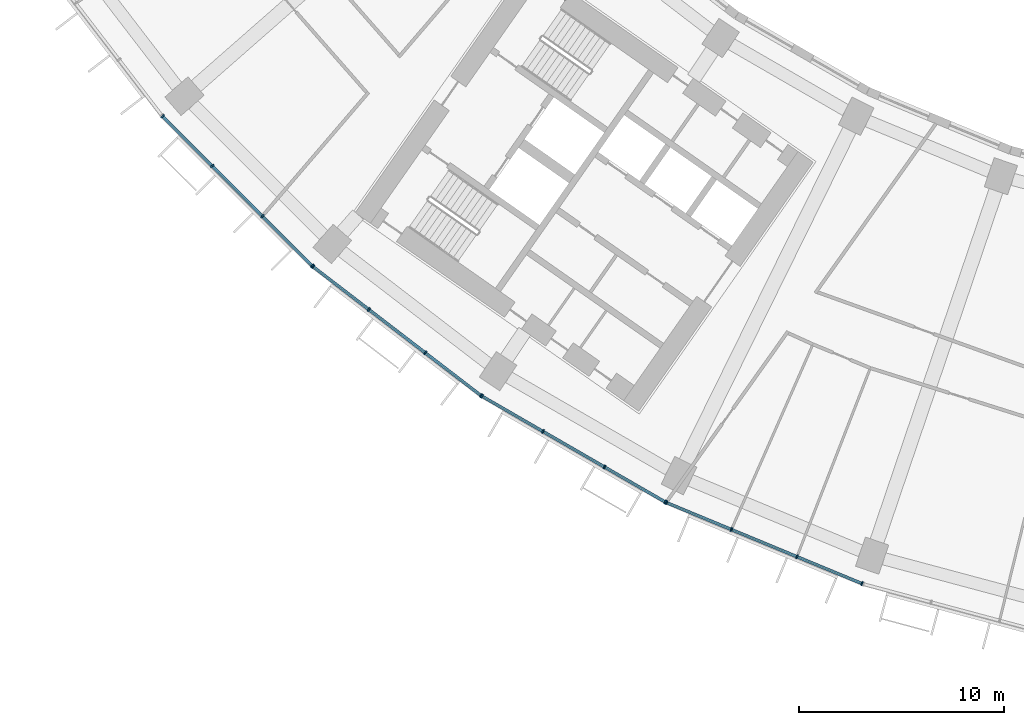
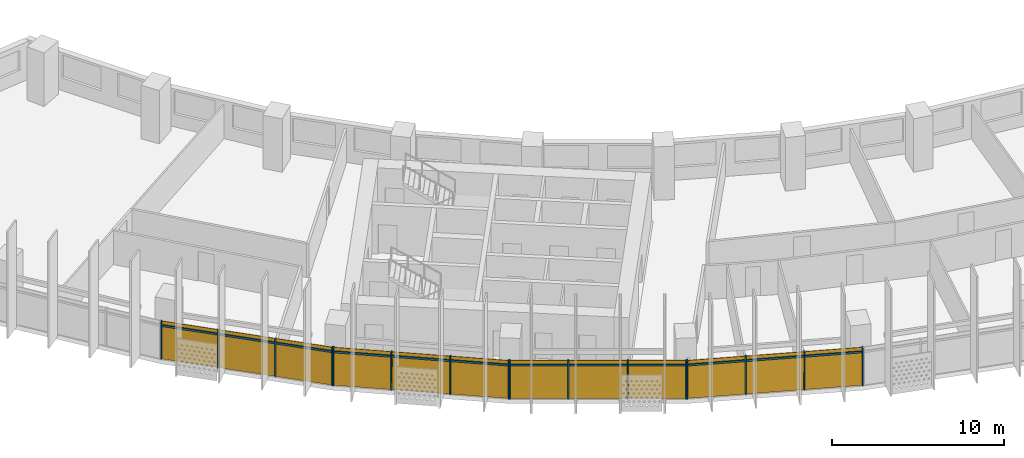
# One storey, part 18 of 30: 28 members, 4 curtain walls.
"""IFC4 building model written with IfcOpenShell, lengths in metres."""

from ifc_helpers import new_model, si_unit, direction, frame, origin, origin_2d, place, context, subcontext, project, spatial, rectangle, extrude, material, material_profile, profile_set, type_object, element, aggregate, save


model = new_model("IFC4")

# Units and contexts
model_context = context("Model", 3, precision=1e-05, world=origin(), true_north=direction((0.0, 1.0)))
body_context = subcontext(model_context, "Body", "Model", "MODEL_VIEW")
ifc_project = project(units=[si_unit("LENGTHUNIT", "METRE"), si_unit("AREAUNIT", "SQUARE_METRE"), si_unit("VOLUMEUNIT", "CUBIC_METRE"), si_unit("PLANEANGLEUNIT", "RADIAN"), si_unit("MASSUNIT", "GRAM", prefix="KILO")], contexts=[model_context])

# Member
ifc_material = material(Name="Aluminium 6063-T6 anodised", Category="aluminium")
ifc_material_profile_1 = material_profile(ifc_material, rectangle(XDim=0.199951171875, YDim=0.070068359375, at=origin_2d()))
ifc_profile_set_1 = profile_set([ifc_material_profile_1], Name="Aluminium 6063-T6 anodised")
member_type_1 = type_object("IfcMemberType", Name="Mullion 70 x 200 aluminium", PredefinedType="MULLION", material=ifc_profile_set_1)
site_placement = place(None, origin())
building_placement = place(site_placement, origin())
storey_placement = place(building_placement, frame((0.0, 0.0, 117.699951171875)))
member_1_placement = place(storey_placement, frame((-59.525390625, -52.240234375, 0.0), z_axis=(0.0, 0.0, 1.0), x_axis=(0.707106781187, 0.707106781187, 0.0)))
member_1 = element("IfcMember", 1, at=member_1_placement, type_object=member_type_1, Name="e-cw1-L26-out03/M00", PredefinedType="MULLION", context=body_context, shape_type="SweptSolid", body=[
    extrude(rectangle(XDim=0.199951171875, YDim=0.070068359375, at=origin_2d()), origin(), (0.0, 0.0, 1.0), 2.699951171875),
])

member_2_placement = place(storey_placement, frame((-57.105224609375, -54.660400390625, 0.0), z_axis=(0.0, 0.0, 1.0), x_axis=(0.707106781187, 0.707106781187, 0.0)))
member_2 = element("IfcMember", 2, at=member_2_placement, type_object=member_type_1, Name="e-cw1-L26-out03/M01", PredefinedType="MULLION", context=body_context, shape_type="SweptSolid", body=[
    extrude(rectangle(XDim=0.199951171875, YDim=0.070068359375, at=origin_2d()), origin(), (0.0, 0.0, 1.0), 2.699951171875),
])

member_3_placement = place(storey_placement, frame((-54.660400390625, -57.105224609375, 0.0), z_axis=(0.0, 0.0, 1.0), x_axis=(0.707106781187, 0.707106781187, 0.0)))
member_3 = element("IfcMember", 3, at=member_3_placement, type_object=member_type_1, Name="e-cw1-L26-out03/M02", PredefinedType="MULLION", context=body_context, shape_type="SweptSolid", body=[
    extrude(rectangle(XDim=0.199951171875, YDim=0.070068359375, at=origin_2d()), origin(), (0.0, 0.0, 1.0), 2.699951171875),
])

member_4_placement = place(storey_placement, frame((-52.240234375, -59.525390625, 0.0), z_axis=(0.0, 0.0, 1.0), x_axis=(0.707106781187, 0.707106781187, 0.0)))
member_4 = element("IfcMember", 4, at=member_4_placement, type_object=member_type_1, Name="e-cw1-L26-out03/M03", PredefinedType="MULLION", context=body_context, shape_type="SweptSolid", body=[
    extrude(rectangle(XDim=0.199951171875, YDim=0.070068359375, at=origin_2d()), origin(), (0.0, 0.0, 1.0), 2.699951171875),
])

member_5_placement = place(storey_placement, frame((-52.197509765625, -59.56298828125, 0.0), z_axis=(0.0, 0.0, 1.0), x_axis=(0.608761429009, 0.793353340291, 0.0)))
member_5 = element("IfcMember", 5, at=member_5_placement, type_object=member_type_1, Name="e-cw1-L26-out04/M00", PredefinedType="MULLION", context=body_context, shape_type="SweptSolid", body=[
    extrude(rectangle(XDim=0.199951171875, YDim=0.070068359375, at=origin_2d()), origin(), (0.0, 0.0, 1.0), 2.699951171875),
])

member_6_placement = place(storey_placement, frame((-49.482177734375, -61.646484375, 0.0), z_axis=(0.0, 0.0, 1.0), x_axis=(0.608761429009, 0.793353340291, 0.0)))
member_6 = element("IfcMember", 6, at=member_6_placement, type_object=member_type_1, Name="e-cw1-L26-out04/M01", PredefinedType="MULLION", context=body_context, shape_type="SweptSolid", body=[
    extrude(rectangle(XDim=0.199951171875, YDim=0.070068359375, at=origin_2d()), origin(), (0.0, 0.0, 1.0), 2.699951171875),
])

member_7_placement = place(storey_placement, frame((-46.739013671875, -63.751220703125, 0.0), z_axis=(0.0, 0.0, 1.0), x_axis=(0.608761429009, 0.793353340291, 0.0)))
member_7 = element("IfcMember", 7, at=member_7_placement, type_object=member_type_1, Name="e-cw1-L26-out04/M02", PredefinedType="MULLION", context=body_context, shape_type="SweptSolid", body=[
    extrude(rectangle(XDim=0.199951171875, YDim=0.070068359375, at=origin_2d()), origin(), (0.0, 0.0, 1.0), 2.699951171875),
])

member_8_placement = place(storey_placement, frame((-44.023681640625, -65.8349609375, 0.0), z_axis=(0.0, 0.0, 1.0), x_axis=(0.608761429009, 0.793353340291, 0.0)))
member_8 = element("IfcMember", 8, at=member_8_placement, type_object=member_type_1, Name="e-cw1-L26-out04/M03", PredefinedType="MULLION", context=body_context, shape_type="SweptSolid", body=[
    extrude(rectangle(XDim=0.199951171875, YDim=0.070068359375, at=origin_2d()), origin(), (0.0, 0.0, 1.0), 2.699951171875),
])

member_9_placement = place(storey_placement, frame((-43.976318359375, -65.866455078125, 0.0), z_axis=(0.0, 0.0, 1.0), x_axis=(0.5, 0.866025403784, 0.0)))
member_9 = element("IfcMember", 9, at=member_9_placement, type_object=member_type_1, Name="e-cw1-L26-out05/M00", PredefinedType="MULLION", context=body_context, shape_type="SweptSolid", body=[
    extrude(rectangle(XDim=0.199951171875, YDim=0.070068359375, at=origin_2d()), origin(), (0.0, 0.0, 1.0), 2.699951171875),
])

member_10_placement = place(storey_placement, frame((-41.01220703125, -67.577880859375, 0.0), z_axis=(0.0, 0.0, 1.0), x_axis=(0.5, 0.866025403784, 0.0)))
member_10 = element("IfcMember", 10, at=member_10_placement, type_object=member_type_1, Name="e-cw1-L26-out05/M01", PredefinedType="MULLION", context=body_context, shape_type="SweptSolid", body=[
    extrude(rectangle(XDim=0.199951171875, YDim=0.070068359375, at=origin_2d()), origin(), (0.0, 0.0, 1.0), 2.699951171875),
])

member_11_placement = place(storey_placement, frame((-38.017822265625, -69.306640625, 0.0), z_axis=(0.0, 0.0, 1.0), x_axis=(0.5, 0.866025403784, 0.0)))
member_11 = element("IfcMember", 11, at=member_11_placement, type_object=member_type_1, Name="e-cw1-L26-out05/M02", PredefinedType="MULLION", context=body_context, shape_type="SweptSolid", body=[
    extrude(rectangle(XDim=0.199951171875, YDim=0.070068359375, at=origin_2d()), origin(), (0.0, 0.0, 1.0), 2.699951171875),
])

member_12_placement = place(storey_placement, frame((-35.0537109375, -71.017822265625, 0.0), z_axis=(0.0, 0.0, 1.0), x_axis=(0.5, 0.866025403784, 0.0)))
member_12 = element("IfcMember", 12, at=member_12_placement, type_object=member_type_1, Name="e-cw1-L26-out05/M03", PredefinedType="MULLION", context=body_context, shape_type="SweptSolid", body=[
    extrude(rectangle(XDim=0.199951171875, YDim=0.070068359375, at=origin_2d()), origin(), (0.0, 0.0, 1.0), 2.699951171875),
])

member_13_placement = place(storey_placement, frame((-35.0029296875, -71.04296875, 0.0), z_axis=(0.0, 0.0, 1.0), x_axis=(0.382683432365, 0.923879532511, 0.0)))
member_13 = element("IfcMember", 13, at=member_13_placement, type_object=member_type_1, Name="e-cw1-L26-out06/M00", PredefinedType="MULLION", context=body_context, shape_type="SweptSolid", body=[
    extrude(rectangle(XDim=0.199951171875, YDim=0.070068359375, at=origin_2d()), origin(), (0.0, 0.0, 1.0), 2.699951171875),
])

member_14_placement = place(storey_placement, frame((-31.8408203125, -72.352783203125, 0.0), z_axis=(0.0, 0.0, 1.0), x_axis=(0.382683432365, 0.923879532511, 0.0)))
member_14 = element("IfcMember", 14, at=member_14_placement, type_object=member_type_1, Name="e-cw1-L26-out06/M01", PredefinedType="MULLION", context=body_context, shape_type="SweptSolid", body=[
    extrude(rectangle(XDim=0.199951171875, YDim=0.070068359375, at=origin_2d()), origin(), (0.0, 0.0, 1.0), 2.699951171875),
])

member_15_placement = place(storey_placement, frame((-28.646240234375, -73.676025390625, 0.0), z_axis=(0.0, 0.0, 1.0), x_axis=(0.382683432365, 0.923879532511, 0.0)))
member_15 = element("IfcMember", 15, at=member_15_placement, type_object=member_type_1, Name="e-cw1-L26-out06/M02", PredefinedType="MULLION", context=body_context, shape_type="SweptSolid", body=[
    extrude(rectangle(XDim=0.199951171875, YDim=0.070068359375, at=origin_2d()), origin(), (0.0, 0.0, 1.0), 2.699951171875),
])

member_16_placement = place(storey_placement, frame((-25.484130859375, -74.98583984375, 0.0), z_axis=(0.0, 0.0, 1.0), x_axis=(0.382683432365, 0.923879532511, 0.0)))
member_16 = element("IfcMember", 16, at=member_16_placement, type_object=member_type_1, Name="e-cw1-L26-out06/M03", PredefinedType="MULLION", context=body_context, shape_type="SweptSolid", body=[
    extrude(rectangle(XDim=0.199951171875, YDim=0.070068359375, at=origin_2d()), origin(), (0.0, 0.0, 1.0), 2.699951171875),
])

ifc_material_profile_2 = material_profile(ifc_material, rectangle(XDim=0.139892578125, YDim=0.1201171875, at=origin_2d()))
ifc_profile_set_2 = profile_set([ifc_material_profile_2], Name="Aluminium 6063-T6 anodised")
member_type_2 = type_object("IfcMemberType", Name="Transom 120 x 140 aluminium", PredefinedType="USERDEFINED", material=ifc_profile_set_2)
member_17_placement = place(storey_placement, frame((-59.500732421875, -52.264892578125, 2.400146484375), z_axis=(0.707106781187, -0.707106781187, 0.0), x_axis=(0.707106781187, 0.707106781187, 0.0)))
member_17 = element("IfcMember", 17, at=member_17_placement, type_object=member_type_2, Name="e-cw1-L26-out03/T00", ObjectType="TRANSOM", PredefinedType="USERDEFINED", context=body_context, shape_type="SweptSolid", body=[
    extrude(rectangle(XDim=0.139892578125, YDim=0.1201171875, at=origin_2d()), origin(), (0.0, 0.0, 1.0), 3.3525390625),
])

member_18_placement = place(storey_placement, frame((-57.08056640625, -54.68505859375, 2.400146484375), z_axis=(0.707106781187, -0.707106781187, 0.0), x_axis=(0.707106781187, 0.707106781187, 0.0)))
member_18 = element("IfcMember", 18, at=member_18_placement, type_object=member_type_2, Name="e-cw1-L26-out03/T01", ObjectType="TRANSOM", PredefinedType="USERDEFINED", context=body_context, shape_type="SweptSolid", body=[
    extrude(rectangle(XDim=0.139892578125, YDim=0.1201171875, at=origin_2d()), origin(), (0.0, 0.0, 1.0), 3.3876953125),
])

member_19_placement = place(storey_placement, frame((-54.635498046875, -57.130126953125, 2.400146484375), z_axis=(0.707106781187, -0.707106781187, 0.0), x_axis=(0.707106781187, 0.707106781187, 0.0)))
member_19 = element("IfcMember", 19, at=member_19_placement, type_object=member_type_2, Name="e-cw1-L26-out03/T02", ObjectType="TRANSOM", PredefinedType="USERDEFINED", context=body_context, shape_type="SweptSolid", body=[
    extrude(rectangle(XDim=0.139892578125, YDim=0.1201171875, at=origin_2d()), origin(), (0.0, 0.0, 1.0), 3.3525390625),
])

member_20_placement = place(storey_placement, frame((-52.169677734375, -59.584228515625, 2.400146484375), z_axis=(0.793354308621, -0.608760167055, 0.0), x_axis=(0.608760167055, 0.793354308621, 0.0)))
member_20 = element("IfcMember", 20, at=member_20_placement, type_object=member_type_2, Name="e-cw1-L26-out04/T00", ObjectType="TRANSOM", PredefinedType="USERDEFINED", context=body_context, shape_type="SweptSolid", body=[
    extrude(rectangle(XDim=0.139892578125, YDim=0.1201171875, at=origin_2d()), origin(), (0.0, 0.0, 1.0), 3.352783203125),
])

member_21_placement = place(storey_placement, frame((-49.454345703125, -61.667724609375, 2.400146484375), z_axis=(0.793344133173, -0.608773427772, 0.0), x_axis=(0.608773427772, 0.793344133173, 0.0)))
member_21 = element("IfcMember", 21, at=member_21_placement, type_object=member_type_2, Name="e-cw1-L26-out04/T01", ObjectType="TRANSOM", PredefinedType="USERDEFINED", context=body_context, shape_type="SweptSolid", body=[
    extrude(rectangle(XDim=0.139892578125, YDim=0.1201171875, at=origin_2d()), origin(), (0.0, 0.0, 1.0), 3.387451171875),
])

member_22_placement = place(storey_placement, frame((-46.711181640625, -63.772705078125, 2.400146484375), z_axis=(0.793389477316, -0.608714331426, 0.0), x_axis=(0.608714331426, 0.793389477316, 0.0)))
member_22 = element("IfcMember", 22, at=member_22_placement, type_object=member_type_2, Name="e-cw1-L26-out04/T02", ObjectType="TRANSOM", PredefinedType="USERDEFINED", context=body_context, shape_type="SweptSolid", body=[
    extrude(rectangle(XDim=0.139892578125, YDim=0.1201171875, at=origin_2d()), origin(), (0.0, 0.0, 1.0), 3.3525390625),
])

member_23_placement = place(storey_placement, frame((-43.946044921875, -65.884033203125, 2.400146484375), z_axis=(0.866020654818, -0.50000822536, 0.0), x_axis=(0.50000822536, 0.866020654818, 0.0)))
member_23 = element("IfcMember", 23, at=member_23_placement, type_object=member_type_2, Name="e-cw1-L26-out05/T00", ObjectType="TRANSOM", PredefinedType="USERDEFINED", context=body_context, shape_type="SweptSolid", body=[
    extrude(rectangle(XDim=0.139892578125, YDim=0.1201171875, at=origin_2d()), origin(), (0.0, 0.0, 1.0), 3.3525390625),
])

member_24_placement = place(storey_placement, frame((-40.98193359375, -67.59521484375, 2.400146484375), z_axis=(0.866025971257, -0.499999017107, 0.0), x_axis=(0.499999017107, 0.866025971257, 0.0)))
member_24 = element("IfcMember", 24, at=member_24_placement, type_object=member_type_2, Name="e-cw1-L26-out05/T01", ObjectType="TRANSOM", PredefinedType="USERDEFINED", context=body_context, shape_type="SweptSolid", body=[
    extrude(rectangle(XDim=0.139892578125, YDim=0.1201171875, at=origin_2d()), origin(), (0.0, 0.0, 1.0), 3.3876953125),
])

member_25_placement = place(storey_placement, frame((-37.987548828125, -69.323974609375, 2.400146484375), z_axis=(0.865989120267, -0.50006283963, 0.0), x_axis=(0.50006283963, 0.865989120267, 0.0)))
member_25 = element("IfcMember", 25, at=member_25_placement, type_object=member_type_2, Name="e-cw1-L26-out05/T02", ObjectType="TRANSOM", PredefinedType="USERDEFINED", context=body_context, shape_type="SweptSolid", body=[
    extrude(rectangle(XDim=0.139892578125, YDim=0.1201171875, at=origin_2d()), origin(), (0.0, 0.0, 1.0), 3.3525390625),
])

member_26_placement = place(storey_placement, frame((-34.970458984375, -71.056396484375, 2.400146484375), z_axis=(0.923882814237, -0.382675509483, 0.0), x_axis=(0.382675509483, 0.923882814237, 0.0)))
member_26 = element("IfcMember", 26, at=member_26_placement, type_object=member_type_2, Name="e-cw1-L26-out06/T00", ObjectType="TRANSOM", PredefinedType="USERDEFINED", context=body_context, shape_type="SweptSolid", body=[
    extrude(rectangle(XDim=0.139892578125, YDim=0.1201171875, at=origin_2d()), origin(), (0.0, 0.0, 1.0), 3.3525390625),
])

member_27_placement = place(storey_placement, frame((-31.808349609375, -72.3662109375, 2.400146484375), z_axis=(0.923874529423, -0.382695510666, 0.0), x_axis=(0.382695510666, 0.923874529423, 0.0)))
member_27 = element("IfcMember", 27, at=member_27_placement, type_object=member_type_2, Name="e-cw1-L26-out06/T01", ObjectType="TRANSOM", PredefinedType="USERDEFINED", context=body_context, shape_type="SweptSolid", body=[
    extrude(rectangle(XDim=0.139892578125, YDim=0.1201171875, at=origin_2d()), origin(), (0.0, 0.0, 1.0), 3.387451171875),
])

member_28_placement = place(storey_placement, frame((-28.614013671875, -73.689453125, 2.400146484375), z_axis=(0.923882814237, -0.382675509483, 0.0), x_axis=(0.382675509483, 0.923882814237, 0.0)))
member_28 = element("IfcMember", 28, at=member_28_placement, type_object=member_type_2, Name="e-cw1-L26-out06/T02", ObjectType="TRANSOM", PredefinedType="USERDEFINED", context=body_context, shape_type="SweptSolid", body=[
    extrude(rectangle(XDim=0.139892578125, YDim=0.1201171875, at=origin_2d()), origin(), (0.0, 0.0, 1.0), 3.3525390625),
])

# Site, building, storey
site = spatial("IfcSite", under=ifc_project, at=site_placement, CompositionType="ELEMENT")
building = spatial("IfcBuilding", under=site, at=building_placement, Name="Qamariyya Broadcast Tower", CompositionType="ELEMENT")
storey = spatial("IfcBuildingStorey", under=building, at=storey_placement, Name="L26", CompositionType="ELEMENT", Elevation=117.699951171875)

# Curtain wall
curtain_wall_type = type_object("IfcCurtainWallType", Name="Unitised curtain wall, anodised aluminium", PredefinedType="NOTDEFINED", material=ifc_material)
curtain_wall_1_placement = place(storey_placement, origin())
curtain_wall_1 = element("IfcCurtainWall", 29, at=curtain_wall_1_placement, inside=storey, type_object=curtain_wall_type, Name="e-cw1-L26-out03", PredefinedType="NOTDEFINED", context=body_context, shape_type="SweptSolid", body=[
    extrude(rectangle(XDim=3.352783203125, YDim=0.031982421875, at=origin_2d()), frame((-58.3154296875, -53.4501953125, 0.0), x_axis=(0.707106781187, -0.707106781187, 0.0)), (0.0, 0.0, 1.0), 2.340087890625),
    extrude(rectangle(XDim=3.352783203125, YDim=0.031982421875, at=origin_2d()), frame((-58.3154296875, -53.4501953125, 2.4599609375), x_axis=(0.707106781187, -0.707106781187, 0.0)), (0.0, 0.0, 1.0), 0.239990234375),
    extrude(rectangle(XDim=3.3876953125, YDim=0.031982421875, at=origin_2d()), frame((-55.8828125, -55.8828125, 0.0), x_axis=(0.707106781187, -0.707106781187, 0.0)), (0.0, 0.0, 1.0), 2.340087890625),
    extrude(rectangle(XDim=3.3876953125, YDim=0.031982421875, at=origin_2d()), frame((-55.8828125, -55.8828125, 2.4599609375), x_axis=(0.707106781187, -0.707106781187, 0.0)), (0.0, 0.0, 1.0), 0.239990234375),
    extrude(rectangle(XDim=3.352783203125, YDim=0.031982421875, at=origin_2d()), frame((-53.4501953125, -58.3154296875, 0.0), x_axis=(0.707106781187, -0.707106781187, 0.0)), (0.0, 0.0, 1.0), 2.340087890625),
    extrude(rectangle(XDim=3.352783203125, YDim=0.031982421875, at=origin_2d()), frame((-53.4501953125, -58.3154296875, 2.4599609375), x_axis=(0.707106781187, -0.707106781187, 0.0)), (0.0, 0.0, 1.0), 0.239990234375),
])

aggregate(curtain_wall_1, [member_1, member_2, member_3, member_4, member_17, member_18, member_19])

curtain_wall_2_placement = place(storey_placement, origin())
curtain_wall_2 = element("IfcCurtainWall", 30, at=curtain_wall_2_placement, inside=storey, type_object=curtain_wall_type, Name="e-cw1-L26-out04", PredefinedType="NOTDEFINED", context=body_context, shape_type="SweptSolid", body=[
    extrude(rectangle(XDim=3.352783203125, YDim=0.031982421875, at=origin_2d()), frame((-50.83984375, -60.6044921875, 0.0), x_axis=(0.793354000839, -0.608760568165, 0.0)), (0.0, 0.0, 1.0), 2.340087890625),
    extrude(rectangle(XDim=3.352783203125, YDim=0.031982421875, at=origin_2d()), frame((-50.83984375, -60.6044921875, 2.4599609375), x_axis=(0.793354000839, -0.608760568165, 0.0)), (0.0, 0.0, 1.0), 0.239990234375),
    extrude(rectangle(XDim=3.3876953125, YDim=0.031982421875, at=origin_2d()), frame((-48.110595703125, -62.69873046875, 0.0), x_axis=(0.793354000839, -0.608760568165, 0.0)), (0.0, 0.0, 1.0), 2.340087890625),
    extrude(rectangle(XDim=3.3876953125, YDim=0.031982421875, at=origin_2d()), frame((-48.110595703125, -62.69873046875, 2.4599609375), x_axis=(0.793354000839, -0.608760568165, 0.0)), (0.0, 0.0, 1.0), 0.239990234375),
    extrude(rectangle(XDim=3.352783203125, YDim=0.031982421875, at=origin_2d()), frame((-45.38134765625, -64.793212890625, 0.0), x_axis=(0.793354000839, -0.608760568165, 0.0)), (0.0, 0.0, 1.0), 2.340087890625),
    extrude(rectangle(XDim=3.352783203125, YDim=0.031982421875, at=origin_2d()), frame((-45.38134765625, -64.793212890625, 2.4599609375), x_axis=(0.793354000839, -0.608760568165, 0.0)), (0.0, 0.0, 1.0), 0.239990234375),
])

aggregate(curtain_wall_2, [member_5, member_6, member_7, member_8, member_20, member_21, member_22])

curtain_wall_3_placement = place(storey_placement, origin())
curtain_wall_3 = element("IfcCurtainWall", 31, at=curtain_wall_3_placement, inside=storey, type_object=curtain_wall_type, Name="e-cw1-L26-out05", PredefinedType="NOTDEFINED", context=body_context, shape_type="SweptSolid", body=[
    extrude(rectangle(XDim=3.352783203125, YDim=0.031982421875, at=origin_2d()), frame((-42.494384765625, -66.72216796875, 0.0), x_axis=(0.866027243369, -0.499996813733, 0.0)), (0.0, 0.0, 1.0), 2.340087890625),
    extrude(rectangle(XDim=3.352783203125, YDim=0.031982421875, at=origin_2d()), frame((-42.494384765625, -66.72216796875, 2.4599609375), x_axis=(0.866027243369, -0.499996813733, 0.0)), (0.0, 0.0, 1.0), 0.239990234375),
    extrude(rectangle(XDim=3.3876953125, YDim=0.031982421875, at=origin_2d()), frame((-39.51513671875, -68.442138671875, 0.0), x_axis=(0.866027243369, -0.499996813733, 0.0)), (0.0, 0.0, 1.0), 2.340087890625),
    extrude(rectangle(XDim=3.3876953125, YDim=0.031982421875, at=origin_2d()), frame((-39.51513671875, -68.442138671875, 2.4599609375), x_axis=(0.866027243369, -0.499996813733, 0.0)), (0.0, 0.0, 1.0), 0.239990234375),
    extrude(rectangle(XDim=3.352783203125, YDim=0.031982421875, at=origin_2d()), frame((-36.535888671875, -70.162109375, 0.0), x_axis=(0.866027243369, -0.499996813733, 0.0)), (0.0, 0.0, 1.0), 2.340087890625),
    extrude(rectangle(XDim=3.352783203125, YDim=0.031982421875, at=origin_2d()), frame((-36.535888671875, -70.162109375, 2.4599609375), x_axis=(0.866027243369, -0.499996813733, 0.0)), (0.0, 0.0, 1.0), 0.239990234375),
])

aggregate(curtain_wall_3, [member_9, member_10, member_11, member_12, member_23, member_24, member_25])

curtain_wall_4_placement = place(storey_placement, origin())
curtain_wall_4 = element("IfcCurtainWall", 32, at=curtain_wall_4_placement, inside=storey, type_object=curtain_wall_type, Name="e-cw1-L26-out06", PredefinedType="NOTDEFINED", context=body_context, shape_type="SweptSolid", body=[
    extrude(rectangle(XDim=3.3525390625, YDim=0.031982421875, at=origin_2d()), frame((-33.421875, -71.69775390625, 0.0), x_axis=(0.923872250857, -0.382701011361, 0.0)), (0.0, 0.0, 1.0), 2.340087890625),
    extrude(rectangle(XDim=3.3525390625, YDim=0.031982421875, at=origin_2d()), frame((-33.421875, -71.69775390625, 2.4599609375), x_axis=(0.923872250857, -0.382701011361, 0.0)), (0.0, 0.0, 1.0), 0.239990234375),
    extrude(rectangle(XDim=3.3876953125, YDim=0.031982421875, at=origin_2d()), frame((-30.24365234375, -73.014404296875, 0.0), x_axis=(0.923872250857, -0.382701011361, 0.0)), (0.0, 0.0, 1.0), 2.340087890625),
    extrude(rectangle(XDim=3.3876953125, YDim=0.031982421875, at=origin_2d()), frame((-30.24365234375, -73.014404296875, 2.4599609375), x_axis=(0.923872250857, -0.382701011361, 0.0)), (0.0, 0.0, 1.0), 0.239990234375),
    extrude(rectangle(XDim=3.3525390625, YDim=0.031982421875, at=origin_2d()), frame((-27.065185546875, -74.3310546875, 0.0), x_axis=(0.923872250857, -0.382701011361, 0.0)), (0.0, 0.0, 1.0), 2.340087890625),
    extrude(rectangle(XDim=3.3525390625, YDim=0.031982421875, at=origin_2d()), frame((-27.065185546875, -74.3310546875, 2.4599609375), x_axis=(0.923872250857, -0.382701011361, 0.0)), (0.0, 0.0, 1.0), 0.239990234375),
])

aggregate(curtain_wall_4, [member_13, member_14, member_15, member_16, member_26, member_27, member_28])

save(model, "model.ifc")
